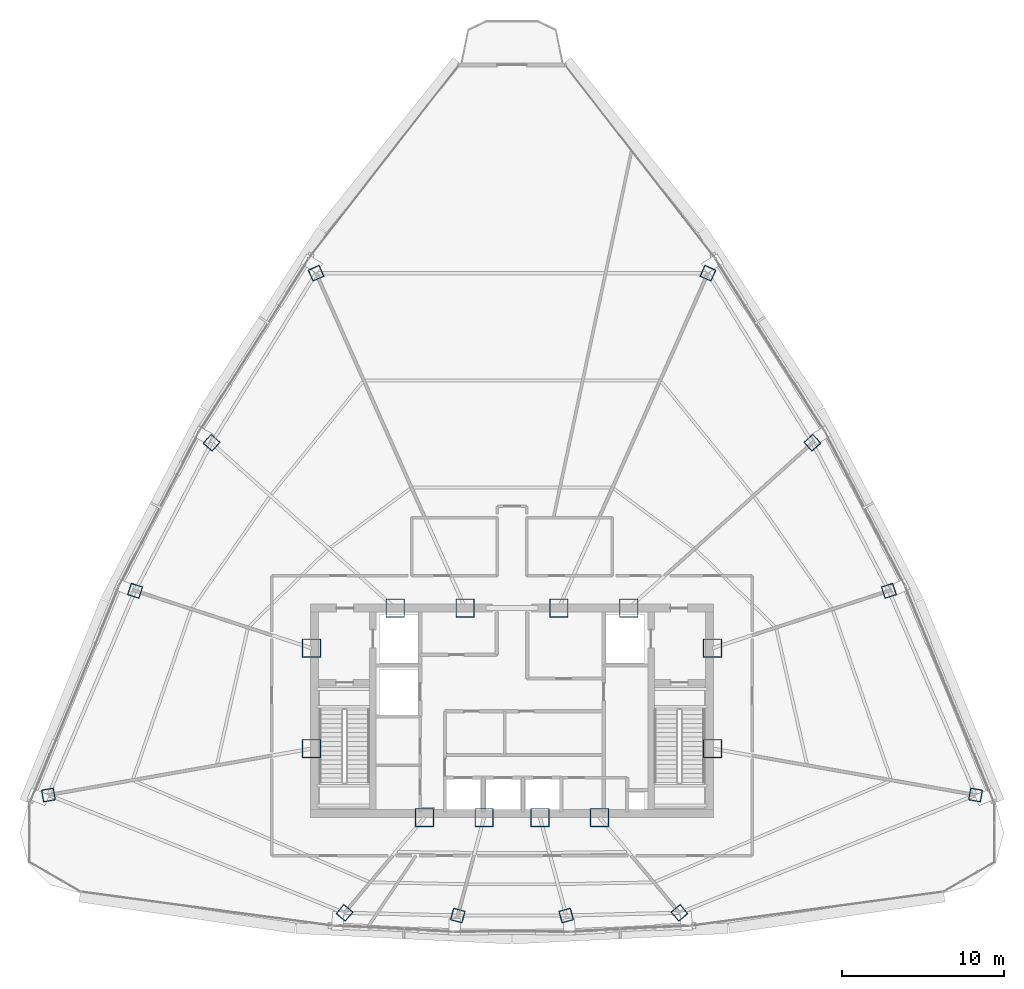
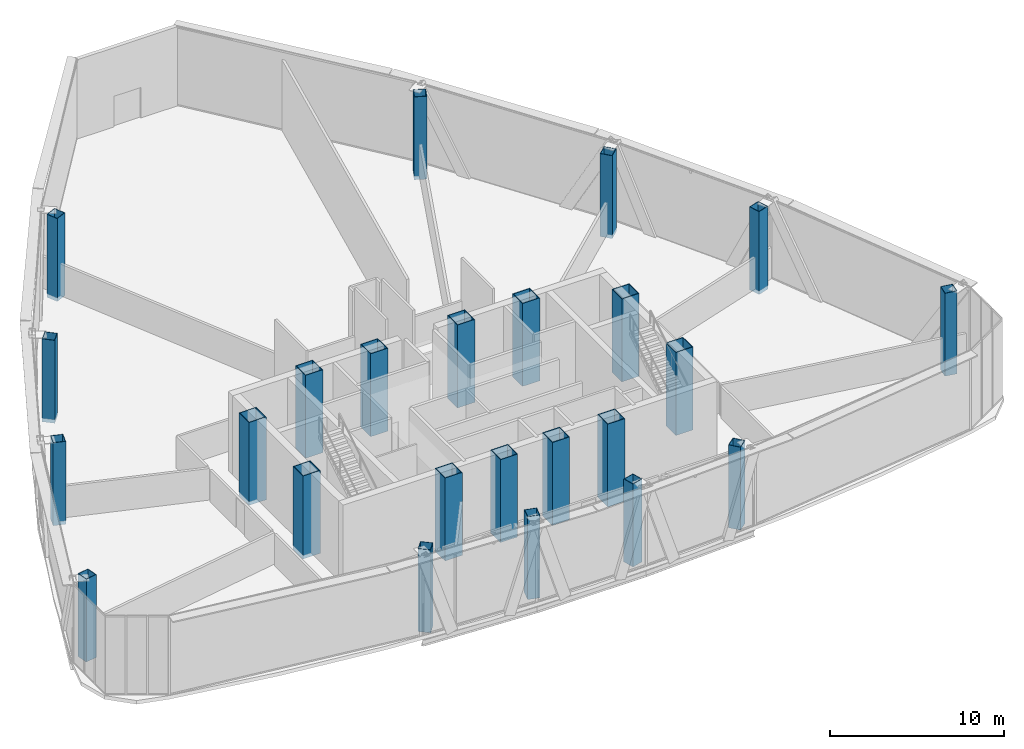
# One storey, part 1 of 33: 24 columns.
"""IFC4 building model written with IfcOpenShell, lengths in metres."""

from ifc_helpers import new_model, si_unit, direction, frame, origin, origin_2d, place, context, subcontext, project, spatial, hollow_rectangle, extrude, source, transform, mapped, material, material_profile, profile_set, type_object, element, save


model = new_model("IFC4")

# Units and contexts
model_context = context("Model", 3, precision=1e-05, world=origin(), true_north=direction((0.0, 1.0)))
body_context = subcontext(model_context, "Body", "Model", "MODEL_VIEW")
ifc_project = project(units=[si_unit("LENGTHUNIT", "METRE"), si_unit("AREAUNIT", "SQUARE_METRE"), si_unit("VOLUMEUNIT", "CUBIC_METRE"), si_unit("PLANEANGLEUNIT", "RADIAN"), si_unit("MASSUNIT", "GRAM", prefix="KILO"), si_unit("THERMODYNAMICTEMPERATUREUNIT", "KELVIN"), si_unit("POWERUNIT", "WATT")], contexts=[model_context])

# Site, building, storey
site_placement = place(None, origin())
site = spatial("IfcSite", under=ifc_project, at=site_placement, CompositionType="ELEMENT")
building_placement = place(site_placement, origin())
building = spatial("IfcBuilding", under=site, at=building_placement, Name="Yunzhuo Pagoda Commons", CompositionType="ELEMENT")
storey_placement = place(building_placement, frame((0.0, 0.0, 314.860107421875)))
storey = spatial("IfcBuildingStorey", under=building, at=storey_placement, Name="L79", CompositionType="ELEMENT", Elevation=314.860107421875)

# Columns
ifc_material_1 = material(Name="Structural steel Q420B", Category="steel")
ifc_material_profile_1 = material_profile(ifc_material_1, hollow_rectangle(XDim=1.14990234375, YDim=1.14990234375, WallThickness=0.048095703125, at=origin_2d()), Name="Structural steel Q420B")
ifc_profile_set_1 = profile_set([ifc_material_profile_1], Name="Structural steel Q420B")
column_type_1 = type_object("IfcColumnType", Name="C-COR Column BOX 1150x1150x48", PredefinedType="COLUMN", material=ifc_profile_set_1)
shared_shape_1 = source(origin(), body_context, "Body", "SweptSolid", [
    extrude(hollow_rectangle(XDim=1.14990234375, YDim=1.14990234375, WallThickness=0.048095703125, at=origin_2d()), origin(), (0.0, 0.0, 1.0), 5.829833984375),
])
for number, where, z_axis, x_axis, name in (
    (1, (42.587890625, 27.25, -0.260009765625), (0.0, 0.0, 1.0), (1.0, 0.0, 0.0), "L79 core composite column F1C1"),
    (2, (46.27197265625, 27.25, -0.260009765625), (0.0, 0.0, 1.0), (1.0, 0.0, 0.0), "L79 core composite column F1C2"),
    (3, (49.728515625, 27.25, -0.260009765625), (0.0, 0.0, 1.0), (1.0, 0.0, 0.0), "L79 core composite column F1C3"),
    (4, (53.412109375, 27.25, -0.260009765625), (0.0, 0.0, 1.0), (1.0, 0.0, 0.0), "L79 core composite column F1C4"),
    (5, (60.39990234375, 31.513427734375, -0.260009765625), (0.0, 0.0, 1.0), (1.0, 0.0, 0.0), "L79 core composite column F2C1"),
    (6, (60.39990234375, 37.72900390625, -0.260009765625), (0.0, 0.0, 1.0), (1.0, 0.0, 0.0), "L79 core composite column F2C2"),
    (7, (55.218994140625, 40.199951171875, -0.260009765625), (0.0, 0.0, 1.0), (1.0, 0.0, 0.0), "L79 core composite column F2C3"),
    (8, (50.89404296875, 40.199951171875, -0.260009765625), (0.0, 0.0, 1.0), (1.0, 0.0, 0.0), "L79 core composite column F2C4"),
    (9, (45.10595703125, 40.199951171875, -0.260009765625), (0.0, 0.0, 1.0), (1.0, 0.0, 0.0), "L79 core composite column F3C1"),
    (10, (40.781005859375, 40.199951171875, -0.260009765625), (0.0, 0.0, 1.0), (1.0, 0.0, 0.0), "L79 core composite column F3C2"),
    (11, (35.60009765625, 37.72900390625, -0.260009765625), (0.0, 0.0, 1.0), (1.0, 0.0, 0.0), "L79 core composite column F3C3"),
    (12, (35.60009765625, 31.513427734375, -0.260009765625), (0.0, 0.0, 1.0), (1.0, 0.0, 0.0), "L79 core composite column F3C4"),
):
    element("IfcColumn", number, at=place(storey_placement, frame(where, z_axis=z_axis, x_axis=x_axis)), inside=storey, type_object=column_type_1, Name=name, PredefinedType="COLUMN", context=body_context, shape_type="MappedRepresentation", body=[
        mapped(shared_shape_1, transform((0.0, 0.0, 0.0), scale=1.0)),
    ])
ifc_material_2 = material(Name="Structural steel Q355B", Category="steel")
ifc_material_profile_2 = material_profile(ifc_material_2, hollow_rectangle(XDim=0.75, YDim=0.75, WallThickness=0.028076171875, at=origin_2d()), Name="Structural steel Q355B")
ifc_profile_set_2 = profile_set([ifc_material_profile_2], Name="Structural steel Q355B")
column_type_2 = type_object("IfcColumnType", Name="C-Z6 Column BOX 750x750x28", PredefinedType="COLUMN", material=ifc_profile_set_2)
shared_shape_2 = source(origin(), body_context, "Body", "SweptSolid", [
    extrude(hollow_rectangle(XDim=0.75, YDim=0.75, WallThickness=0.028076171875, at=origin_2d()), origin(), (0.0, 0.0, 1.0), 5.829833984375),
])
for number, where, z_axis, x_axis, name in (
    (13, (37.64697265625, 21.361572265625, -0.260009765625), (0.0, 0.0, 1.0), (0.766044443119, -0.642787609687, 0.0), "L79 tower column F1C1"),
    (14, (44.6494140625, 21.195556640625, -0.260009765625), (0.0, 0.0, 1.0), (0.965925826289, -0.258819045103, 0.0), "L79 tower column F1C2"),
    (15, (51.3505859375, 21.195556640625, -0.260009765625), (0.0, 0.0, 1.0), (0.965925826289, 0.258819045103, 0.0), "L79 tower column F1C3"),
    (16, (58.353515625, 21.361572265625, -0.260009765625), (0.0, 0.0, 1.0), (0.766044443119, 0.642787609687, 0.0), "L79 tower column F1C4"),
    (17, (76.66162109375, 28.646240234375, -0.260009765625), (0.0, 0.0, 1.0), (0.173648177667, 0.984807753012, 0.0), "L79 tower column F2C1"),
    (18, (71.302490234375, 41.271484375, -0.260009765625), (0.0, 0.0, 1.0), (-0.309016994375, 0.951056516295, 0.0), "L79 tower column F2C2"),
    (19, (66.5732421875, 50.423583984375, -0.260009765625), (0.0, 0.0, 1.0), (-0.669130606359, 0.743144825477, 0.0), "L79 tower column F2C3"),
    (20, (60.1142578125, 60.9091796875, -0.260009765625), (0.0, 0.0, 1.0), (-0.913545457643, 0.406736643076, 0.0), "L79 tower column F2C4"),
    (21, (35.8857421875, 60.9091796875, -0.260009765625), (0.0, 0.0, 1.0), (-0.913545457643, -0.406736643076, 0.0), "L79 tower column F3C1"),
    (22, (29.4267578125, 50.423583984375, -0.260009765625), (0.0, 0.0, 1.0), (-0.669130606359, -0.743144825477, 0.0), "L79 tower column F3C2"),
    (23, (24.697509765625, 41.271484375, -0.260009765625), (0.0, 0.0, 1.0), (-0.309016994375, -0.951056516295, 0.0), "L79 tower column F3C3"),
    (24, (19.33837890625, 28.646240234375, -0.260009765625), (0.0, 0.0, 1.0), (0.173648177667, -0.984807753012, 0.0), "L79 tower column F3C4"),
):
    element("IfcColumn", number, at=place(storey_placement, frame(where, z_axis=z_axis, x_axis=x_axis)), inside=storey, type_object=column_type_2, Name=name, PredefinedType="COLUMN", context=body_context, shape_type="MappedRepresentation", body=[
        mapped(shared_shape_2, transform((0.0, 0.0, 0.0), scale=1.0)),
    ])

save(model, "model.ifc")
